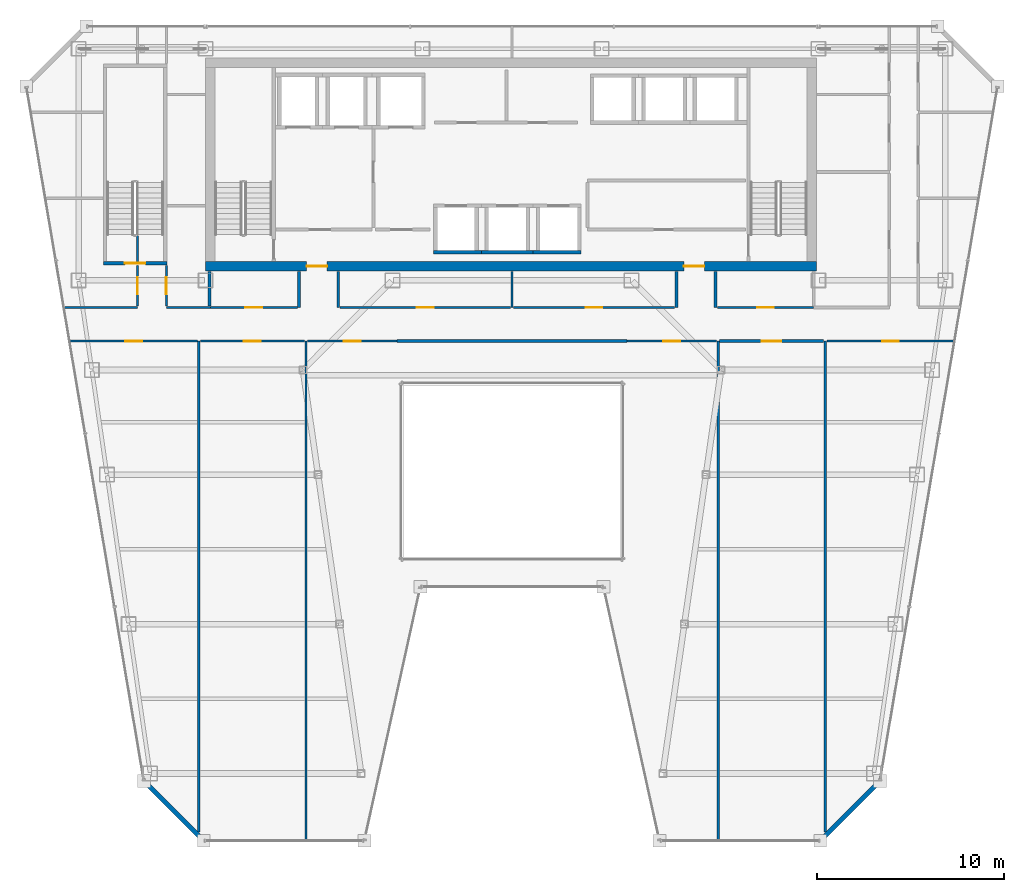
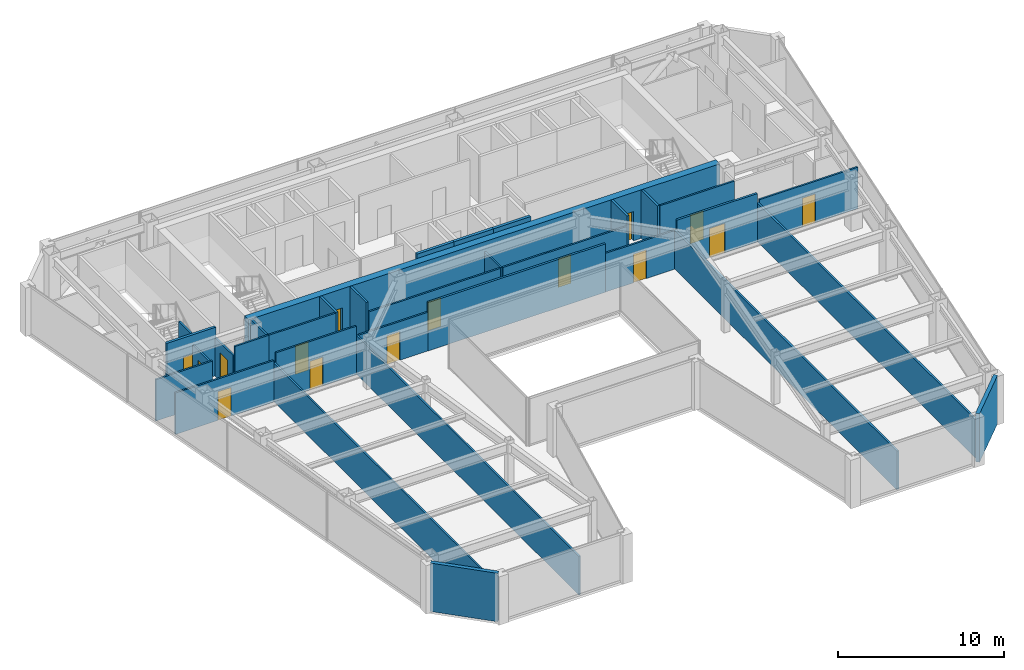
# One storey, part 30 of 36: 33 walls, 15 doors, 15 openings.
"""IFC4 building model written with IfcOpenShell, lengths in metres."""

from ifc_helpers import new_model, si_unit, direction, frame, frame_2d, origin, place, context, subcontext, project, spatial, rectangle, extrude, material, layer, layer_set, type_object, element, fill, save


model = new_model("IFC4")

# Units and contexts
model_context = context("Model", 3, precision=1e-05, world=origin(), true_north=direction((0.0, 1.0)))
body_context = subcontext(model_context, "Body", "Model", "MODEL_VIEW")
ifc_project = project(units=[si_unit("LENGTHUNIT", "METRE"), si_unit("AREAUNIT", "SQUARE_METRE"), si_unit("VOLUMEUNIT", "CUBIC_METRE"), si_unit("PLANEANGLEUNIT", "RADIAN"), si_unit("MASSUNIT", "GRAM", prefix="KILO")], contexts=[model_context])

# Site, building, storey
site_placement = place(None, origin())
site = spatial("IfcSite", under=ifc_project, at=site_placement, CompositionType="ELEMENT")
building_placement = place(site_placement, origin())
building = spatial("IfcBuilding", under=site, at=building_placement, Name="Saevonmaru Cultural Tower", CompositionType="ELEMENT")
storey_placement = place(building_placement, frame((0.0, 0.0, 182.800048828125)))
storey = spatial("IfcBuildingStorey", under=building, at=storey_placement, Name="L41", CompositionType="ELEMENT", Elevation=182.800048828125)

# Wall, openings, doors
ifc_material_1 = material(Name="Concrete C60/75", Category="concrete")
ifc_layer_1 = layer(ifc_material_1, 0.5, Name="Concrete C60/75")
ifc_layer_set_1 = layer_set([ifc_layer_1], Name="Concrete C60/75")
wall_type_1 = type_object("IfcWallType", Name="WL-CORE-500", PredefinedType="SHEAR", material=ifc_layer_set_1)
wall_1_placement = place(storey_placement, frame((13.60009765625, 43.14990234375, 0.0), z_axis=(0.0, 0.0, 1.0), x_axis=(1.0, 0.0, 0.0)))
wall_1 = element("IfcWall", 1, at=wall_1_placement, inside=storey, type_object=wall_type_1, Name="L41 Tower RC core shear wall S", PredefinedType="SHEAR", context=body_context, shape_type="SweptSolid", body=[
    extrude(rectangle(XDim=32.699951171875, YDim=0.5, at=frame_2d((16.35009765625, 0.0))), origin(), (0.0, 0.0, 1.0), 3.550048828125),
])
opening_1_placement = place(wall_1_placement, frame((5.39990234375, 0.0, 0.0)))
opening_1 = element("IfcOpeningElement", 2, at=opening_1_placement, cuts=wall_1, Name="Opening FD-2", PredefinedType="OPENING", context=body_context, shape_type="SweptSolid", body=[
    extrude(rectangle(XDim=1.10009765625, YDim=2.14990234375, at=frame_2d((0.550048828125, 1.074951171875))), frame((0.0, 0.260009765625, 0.0), z_axis=(0.0, -1.0, 0.0), x_axis=(1.0, 0.0, 0.0)), (0.0, 0.0, 1.0), 0.52001953125),
])
opening_2_placement = place(wall_1_placement, frame((25.60009765625, 0.0, 0.0)))
opening_2 = element("IfcOpeningElement", 3, at=opening_2_placement, cuts=wall_1, Name="Opening FD-2", PredefinedType="OPENING", context=body_context, shape_type="SweptSolid", body=[
    extrude(rectangle(XDim=1.10009765625, YDim=2.14990234375, at=frame_2d((0.550048828125, 1.074951171875))), frame((0.0, 0.260009765625, 0.0), z_axis=(0.0, -1.0, 0.0), x_axis=(1.0, 0.0, 0.0)), (0.0, 0.0, 1.0), 0.52001953125),
])
ifc_material_2 = material(Name="Satin Bronze Anodised Aluminium", Category="aluminium")
door_type_1 = type_object("IfcDoorType", Name="DR-FD60-1100", OperationType="SINGLE_SWING_LEFT", PredefinedType="DOOR", material=ifc_material_2)
door_1_placement = place(opening_1_placement, origin())
door_1 = element("IfcDoor", 4, at=door_1_placement, inside=storey, type_object=door_type_1, Name="L41 Core West Lobby Fire Door", OperationType="SINGLE_SWING_LEFT", OverallHeight=2.14990234375, OverallWidth=1.10009765625, PredefinedType="DOOR", context=body_context, shape_type="SweptSolid", body=[
    extrude(rectangle(XDim=1.10009765625, YDim=2.14990234375, at=frame_2d((0.550048828125, 1.074951171875))), frame((0.0, 0.02490234375, 0.0), z_axis=(0.0, -1.0, 0.0), x_axis=(1.0, 0.0, 0.0)), (0.0, 0.0, 1.0), 0.050048828125),
])
fill(opening_1, door_1)
door_2_placement = place(opening_2_placement, origin())
door_2 = element("IfcDoor", 5, at=door_2_placement, inside=storey, type_object=door_type_1, Name="L41 Core East Lobby Fire Door", OperationType="SINGLE_SWING_LEFT", OverallHeight=2.14990234375, OverallWidth=1.10009765625, PredefinedType="DOOR", context=body_context, shape_type="SweptSolid", body=[
    extrude(rectangle(XDim=1.10009765625, YDim=2.14990234375, at=frame_2d((0.550048828125, 1.074951171875))), frame((0.0, 0.02490234375, 0.0), z_axis=(0.0, -1.0, 0.0), x_axis=(1.0, 0.0, 0.0)), (0.0, 0.0, 1.0), 0.050048828125),
])
fill(opening_2, door_2)

# Walls
ifc_material_3 = material(Name="Granite-Clad Precast Concrete C40/50", Category="masonry")
ifc_layer_2 = layer(ifc_material_3, 0.260009765625, Name="Granite-Clad Precast Concrete C40/50")
ifc_layer_set_2 = layer_set([ifc_layer_2], Name="Granite-Clad Precast Concrete C40/50")
wall_type_2 = type_object("IfcWallType", Name="WL-EXT-SPANDREL-260", PredefinedType="STANDARD", material=ifc_layer_set_2)
for number, where, z_axis, x_axis, name in (
    (6, (10.410888671875, 15.48681640625, 0.0), (0.0, 0.0, 1.0), (0.707135806771, -0.70707775441, 0.0), "L41 Chamfer Corner Spandrel Wall E1"),
    (7, (46.615234375, 12.51318359375, 0.0), (0.0, 0.0, 1.0), (0.707135806771, 0.70707775441, 0.0), "L41 Chamfer Corner Spandrel Wall E7"),
):
    element("IfcWall", number, at=place(storey_placement, frame(where, z_axis=z_axis, x_axis=x_axis)), inside=storey, type_object=wall_type_2, Name=name, PredefinedType="STANDARD", context=body_context, shape_type="SweptSolid", body=[
        extrude(rectangle(XDim=4.20556640625, YDim=0.260009765625, at=frame_2d((2.102783203125, 0.0))), origin(), (0.0, 0.0, 1.0), 3.550048828125),
    ])
ifc_material_4 = material(Name="Gypsum Fireboard Partition", Category="gypsum")
ifc_layer_3 = layer(ifc_material_4, 0.14990234375, Name="Gypsum Fireboard Partition")
ifc_layer_set_3 = layer_set([ifc_layer_3], Name="Gypsum Fireboard Partition")
wall_type_3 = type_object("IfcWallType", Name="WL-PART-FIRE-150", PredefinedType="PARTITIONING", material=ifc_layer_set_3)
wall_2_placement = place(storey_placement, frame((13.800048828125, 41.030029296875, 0.0), z_axis=(0.0, 0.0, 1.0), x_axis=(0.0, 1.0, 0.0)))
element("IfcWall", 8, at=wall_2_placement, inside=storey, type_object=wall_type_3, Name="L41 Core Portal Side Wall W0", PredefinedType="PARTITIONING", context=body_context, shape_type="SweptSolid", body=[
    extrude(rectangle(XDim=1.849853515625, YDim=0.14990234375, at=frame_2d((0.9248046875, 0.0))), origin(), (0.0, 0.0, 1.0), 3.550048828125),
])
for number, where, z_axis, x_axis, name in (
    (9, (18.60009765625, 40.949951171875, 0.0), (0.0, 0.0, 1.0), (0.0, 1.0, 0.0), "L41 Core Portal Side Wall W1"),
    (10, (20.699951171875, 40.949951171875, 0.0), (0.0, 0.0, 1.0), (0.0, 1.0, 0.0), "L41 Core Portal Side Wall W2"),
    (11, (38.800048828125, 40.949951171875, 0.0), (0.0, 0.0, 1.0), (0.0, 1.0, 0.0), "L41 Core Portal Side Wall E1"),
    (12, (40.89990234375, 40.949951171875, 0.0), (0.0, 0.0, 1.0), (0.0, 1.0, 0.0), "L41 Core Portal Side Wall E2"),
):
    element("IfcWall", number, at=place(storey_placement, frame(where, z_axis=z_axis, x_axis=x_axis)), inside=storey, type_object=wall_type_3, Name=name, PredefinedType="PARTITIONING", context=body_context, shape_type="SweptSolid", body=[
        extrude(rectangle(XDim=1.929931640625, YDim=0.14990234375, at=frame_2d((0.96484375, 0.0))), origin(), (0.0, 0.0, 1.0), 3.550048828125),
    ])
wall_3_placement = place(storey_placement, frame((23.85009765625, 39.14990234375, 0.0), z_axis=(0.0, 0.0, 1.0), x_axis=(1.0, 0.0, 0.0)))
element("IfcWall", 13, at=wall_3_placement, inside=storey, type_object=wall_type_3, Name="L41 North Atrium Corridor Wall", PredefinedType="PARTITIONING", context=body_context, shape_type="SweptSolid", body=[
    extrude(rectangle(XDim=12.2998046875, YDim=0.14990234375, at=frame_2d((6.14990234375, 0.0))), origin(), (0.0, 0.0, 1.0), 3.550048828125),
])

# Wall, opening, door
wall_4_placement = place(storey_placement, frame((41.117431640625, 39.14990234375, 0.0), z_axis=(0.0, 0.0, 1.0), x_axis=(1.0, 0.0, 0.0)))
wall_4 = element("IfcWall", 14, at=wall_4_placement, inside=storey, type_object=wall_type_3, Name="L41 Permanent Exhibition Gallery Corridor Wall", PredefinedType="PARTITIONING", context=body_context, shape_type="SweptSolid", body=[
    extrude(rectangle(XDim=5.565185546875, YDim=0.14990234375, at=frame_2d((2.78271484375, 0.0))), origin(), (0.0, 0.0, 1.0), 3.550048828125),
])
opening_3_placement = place(wall_4_placement, frame((2.257080078125, 0.0, 0.0)))
opening_3 = element("IfcOpeningElement", 15, at=opening_3_placement, cuts=wall_4, Name="Opening ID-1", PredefinedType="OPENING", context=body_context, shape_type="SweptSolid", body=[
    extrude(rectangle(XDim=1.050048828125, YDim=2.14990234375, at=frame_2d((0.52490234375, 1.074951171875))), frame((0.0, 0.0849609375, 0.0), z_axis=(0.0, -1.0, 0.0), x_axis=(1.0, 0.0, 0.0)), (0.0, 0.0, 1.0), 0.169921875),
])
door_type_2 = type_object("IfcDoorType", Name="DR-INT-1050", OperationType="SINGLE_SWING_LEFT", PredefinedType="DOOR", material=ifc_material_2)
door_3_placement = place(opening_3_placement, origin())
door_3 = element("IfcDoor", 16, at=door_3_placement, inside=storey, type_object=door_type_2, Name="L41 Permanent Exhibition Gallery Door", OperationType="SINGLE_SWING_RIGHT", OverallHeight=2.14990234375, OverallWidth=1.050048828125, PredefinedType="DOOR", context=body_context, shape_type="SweptSolid", body=[
    extrude(rectangle(XDim=1.050048828125, YDim=2.14990234375, at=frame_2d((0.52490234375, 1.074951171875))), frame((0.0, 0.02490234375, 0.0), z_axis=(0.0, -1.0, 0.0), x_axis=(1.0, 0.0, 0.0)), (0.0, 0.0, 1.0), 0.050048828125),
])
fill(opening_3, door_3)

# Walls
ifc_layer_4 = layer(ifc_material_4, 0.1201171875, Name="Gypsum Fireboard Partition")
ifc_layer_set_4 = layer_set([ifc_layer_4], Name="Gypsum Fireboard Partition")
wall_type_4 = type_object("IfcWallType", Name="WL-PART-GYP-120", PredefinedType="PARTITIONING", material=ifc_layer_set_4)
wall_5_placement = place(storey_placement, frame((6.01123046875, 40.949951171875, 0.0), z_axis=(0.0, 0.0, 1.0), x_axis=(1.0, 0.0, 0.0)))
element("IfcWall", 17, at=wall_5_placement, inside=storey, type_object=wall_type_4, Name="L41 NW Wing South Wall", PredefinedType="PARTITIONING", context=body_context, shape_type="SweptSolid", body=[
    extrude(rectangle(XDim=3.938720703125, YDim=0.1201171875, at=frame_2d((1.96923828125, 0.0))), origin(), (0.0, 0.0, 1.0), 3.034912109375),
])
wall_6_placement = place(storey_placement, frame((11.5, 40.949951171875, 0.0), z_axis=(0.0, 0.0, 1.0), x_axis=(1.0, 0.0, 0.0)))
element("IfcWall", 18, at=wall_6_placement, inside=storey, type_object=wall_type_4, Name="L41 NW Inner South Wall", PredefinedType="PARTITIONING", context=body_context, shape_type="SweptSolid", body=[
    extrude(rectangle(XDim=2.35009765625, YDim=0.1201171875, at=frame_2d((1.175048828125, 0.0))), origin(), (0.0, 0.0, 1.0), 3.550048828125),
])

# Wall, opening, door
wall_7_placement = place(storey_placement, frame((9.949951171875, 41.030029296875, 0.0), z_axis=(0.0, 0.0, 1.0), x_axis=(0.0, 1.0, 0.0)))
wall_7 = element("IfcWall", 19, at=wall_7_placement, inside=storey, type_object=wall_type_4, Name="L41 Curatorial Research Office Corridor Wall", PredefinedType="PARTITIONING", context=body_context, shape_type="SweptSolid", body=[
    extrude(rectangle(XDim=2.169921875, YDim=0.1201171875, at=frame_2d((1.0849609375, 0.0))), origin(), (0.0, 0.0, 1.0), 2.8349609375),
])
opening_4_placement = place(wall_7_placement, frame((0.635009765625, 0.0, 0.0)))
opening_4 = element("IfcOpeningElement", 20, at=opening_4_placement, cuts=wall_7, Name="Opening ID-2", PredefinedType="OPENING", context=body_context, shape_type="SweptSolid", body=[
    extrude(rectangle(XDim=0.89990234375, YDim=2.10009765625, at=frame_2d((0.449951171875, 1.050048828125))), frame((0.0, 0.070068359375, 0.0), z_axis=(0.0, -1.0, 0.0), x_axis=(1.0, 0.0, 0.0)), (0.0, 0.0, 1.0), 0.14013671875),
])
ifc_material_5 = material(Name="Acoustic Stained Oak Timber", Category="wood")
door_type_3 = type_object("IfcDoorType", Name="DR-INT-900", OperationType="SINGLE_SWING_RIGHT", PredefinedType="DOOR", material=ifc_material_5)
door_4_placement = place(opening_4_placement, origin())
door_4 = element("IfcDoor", 21, at=door_4_placement, inside=storey, type_object=door_type_3, Name="L41 Curatorial Research Office Door", OperationType="SINGLE_SWING_LEFT", OverallHeight=2.10009765625, OverallWidth=0.89990234375, PredefinedType="DOOR", context=body_context, shape_type="SweptSolid", body=[
    extrude(rectangle(XDim=0.89990234375, YDim=2.10009765625, at=frame_2d((0.449951171875, 1.050048828125))), frame((0.0, 0.02490234375, 0.0), z_axis=(0.0, -1.0, 0.0), x_axis=(1.0, 0.0, 0.0)), (0.0, 0.0, 1.0), 0.050048828125),
])
fill(opening_4, door_4)

# Wall
wall_8_placement = place(storey_placement, frame((9.949951171875, 43.419921875, 0.0), z_axis=(0.0, 0.0, 1.0), x_axis=(0.0, 1.0, 0.0)))
element("IfcWall", 22, at=wall_8_placement, inside=storey, type_object=wall_type_4, Name="L41 Curatorial Research Office Corridor Wall (2)", PredefinedType="PARTITIONING", context=body_context, shape_type="SweptSolid", body=[
    extrude(rectangle(XDim=1.4501953125, YDim=0.1201171875, at=frame_2d((0.72509765625, 0.0))), origin(), (0.0, 0.0, 1.0), 3.550048828125),
])

# Wall, opening, door
wall_9_placement = place(storey_placement, frame((11.5, 41.030029296875, 0.0), z_axis=(0.0, 0.0, 1.0), x_axis=(0.0, 1.0, 0.0)))
wall_9 = element("IfcWall", 23, at=wall_9_placement, inside=storey, type_object=wall_type_4, Name="L41 Archival Conservation Office Corridor Wall", PredefinedType="PARTITIONING", context=body_context, shape_type="SweptSolid", body=[
    extrude(rectangle(XDim=2.169921875, YDim=0.1201171875, at=frame_2d((1.0849609375, 0.0))), origin(), (0.0, 0.0, 1.0), 2.8349609375),
])
opening_5_placement = place(wall_9_placement, frame((0.635009765625, 0.0, 0.0)))
opening_5 = element("IfcOpeningElement", 24, at=opening_5_placement, cuts=wall_9, Name="Opening ID-2", PredefinedType="OPENING", context=body_context, shape_type="SweptSolid", body=[
    extrude(rectangle(XDim=0.89990234375, YDim=2.10009765625, at=frame_2d((0.449951171875, 1.050048828125))), frame((0.0, 0.070068359375, 0.0), z_axis=(0.0, -1.0, 0.0), x_axis=(1.0, 0.0, 0.0)), (0.0, 0.0, 1.0), 0.14013671875),
])
door_5_placement = place(opening_5_placement, origin())
door_5 = element("IfcDoor", 25, at=door_5_placement, inside=storey, type_object=door_type_3, Name="L41 Archival Conservation Office Door", OperationType="SINGLE_SWING_RIGHT", OverallHeight=2.10009765625, OverallWidth=0.89990234375, PredefinedType="DOOR", context=body_context, shape_type="SweptSolid", body=[
    extrude(rectangle(XDim=0.89990234375, YDim=2.10009765625, at=frame_2d((0.449951171875, 1.050048828125))), frame((0.0, 0.02490234375, 0.0), z_axis=(0.0, -1.0, 0.0), x_axis=(1.0, 0.0, 0.0)), (0.0, 0.0, 1.0), 0.050048828125),
])
fill(opening_5, door_5)

wall_10_placement = place(storey_placement, frame((13.85009765625, 40.949951171875, 0.0), z_axis=(0.0, 0.0, 1.0), x_axis=(1.0, 0.0, 0.0)))
wall_10 = element("IfcWall", 26, at=wall_10_placement, inside=storey, type_object=wall_type_4, Name="L41 Curatorial Research Office Corridor Wall", PredefinedType="PARTITIONING", context=body_context, shape_type="SweptSolid", body=[
    extrude(rectangle(XDim=4.65478515625, YDim=0.1201171875, at=frame_2d((2.327392578125, 0.0))), origin(), (0.0, 0.0, 1.0), 3.550048828125),
])
opening_6_placement = place(wall_10_placement, frame((1.876953125, 0.0, 0.0)))
opening_6 = element("IfcOpeningElement", 27, at=opening_6_placement, cuts=wall_10, Name="Opening ID-2", PredefinedType="OPENING", context=body_context, shape_type="SweptSolid", body=[
    extrude(rectangle(XDim=0.89990234375, YDim=2.10009765625, at=frame_2d((0.449951171875, 1.050048828125))), frame((0.0, 0.070068359375, 0.0), z_axis=(0.0, -1.0, 0.0), x_axis=(1.0, 0.0, 0.0)), (0.0, 0.0, 1.0), 0.14013671875),
])
door_6_placement = place(opening_6_placement, origin())
door_6 = element("IfcDoor", 28, at=door_6_placement, inside=storey, type_object=door_type_3, Name="L41 Curatorial Research Office Door", OperationType="SINGLE_SWING_RIGHT", OverallHeight=2.10009765625, OverallWidth=0.89990234375, PredefinedType="DOOR", context=body_context, shape_type="SweptSolid", body=[
    extrude(rectangle(XDim=0.89990234375, YDim=2.10009765625, at=frame_2d((0.449951171875, 1.050048828125))), frame((0.0, 0.02490234375, 0.0), z_axis=(0.0, -1.0, 0.0), x_axis=(1.0, 0.0, 0.0)), (0.0, 0.0, 1.0), 0.050048828125),
])
fill(opening_6, door_6)

# Wall
wall_11_placement = place(storey_placement, frame((30.0, 40.949951171875, 0.0), z_axis=(0.0, 0.0, 1.0), x_axis=(0.0, 1.0, 0.0)))
element("IfcWall", 29, at=wall_11_placement, inside=storey, type_object=wall_type_4, Name="L41 Spine Alcove Split", PredefinedType="PARTITIONING", context=body_context, shape_type="SweptSolid", body=[
    extrude(rectangle(XDim=1.929931640625, YDim=0.1201171875, at=frame_2d((0.96484375, 0.0))), origin(), (0.0, 0.0, 1.0), 2.8349609375),
])

# Wall, opening, door
wall_12_placement = place(storey_placement, frame((20.794921875, 40.949951171875, 0.0), z_axis=(0.0, 0.0, 1.0), x_axis=(1.0, 0.0, 0.0)))
wall_12 = element("IfcWall", 30, at=wall_12_placement, inside=storey, type_object=wall_type_4, Name="L41 Curatorial Research Office Corridor Wall", PredefinedType="PARTITIONING", context=body_context, shape_type="SweptSolid", body=[
    extrude(rectangle(XDim=9.125, YDim=0.1201171875, at=frame_2d((4.5625, 0.0))), origin(), (0.0, 0.0, 1.0), 2.8349609375),
])
opening_7_placement = place(wall_12_placement, frame((4.112060546875, 0.0, 0.0)))
opening_7 = element("IfcOpeningElement", 31, at=opening_7_placement, cuts=wall_12, Name="Opening ID-2", PredefinedType="OPENING", context=body_context, shape_type="SweptSolid", body=[
    extrude(rectangle(XDim=0.89990234375, YDim=2.10009765625, at=frame_2d((0.449951171875, 1.050048828125))), frame((0.0, 0.070068359375, 0.0), z_axis=(0.0, -1.0, 0.0), x_axis=(1.0, 0.0, 0.0)), (0.0, 0.0, 1.0), 0.14013671875),
])
door_7_placement = place(opening_7_placement, origin())
door_7 = element("IfcDoor", 32, at=door_7_placement, inside=storey, type_object=door_type_3, Name="L41 Curatorial Research Office Door", OperationType="SINGLE_SWING_LEFT", OverallHeight=2.10009765625, OverallWidth=0.89990234375, PredefinedType="DOOR", context=body_context, shape_type="SweptSolid", body=[
    extrude(rectangle(XDim=0.89990234375, YDim=2.10009765625, at=frame_2d((0.449951171875, 1.050048828125))), frame((0.0, 0.02490234375, 0.0), z_axis=(0.0, -1.0, 0.0), x_axis=(1.0, 0.0, 0.0)), (0.0, 0.0, 1.0), 0.050048828125),
])
fill(opening_7, door_7)

wall_13_placement = place(storey_placement, frame((30.080078125, 40.949951171875, 0.0), z_axis=(0.0, 0.0, 1.0), x_axis=(1.0, 0.0, 0.0)))
wall_13 = element("IfcWall", 33, at=wall_13_placement, inside=storey, type_object=wall_type_4, Name="L41 Design Seminar Classroom Corridor Wall", PredefinedType="PARTITIONING", context=body_context, shape_type="SweptSolid", body=[
    extrude(rectangle(XDim=8.625, YDim=0.1201171875, at=frame_2d((4.3125, 0.0))), origin(), (0.0, 0.0, 1.0), 2.8349609375),
])
opening_8_placement = place(wall_13_placement, frame((3.862060546875, 0.0, 0.0)))
opening_8 = element("IfcOpeningElement", 34, at=opening_8_placement, cuts=wall_13, Name="Opening ID-2", PredefinedType="OPENING", context=body_context, shape_type="SweptSolid", body=[
    extrude(rectangle(XDim=0.89990234375, YDim=2.10009765625, at=frame_2d((0.449951171875, 1.050048828125))), frame((0.0, 0.070068359375, 0.0), z_axis=(0.0, -1.0, 0.0), x_axis=(1.0, 0.0, 0.0)), (0.0, 0.0, 1.0), 0.14013671875),
])
door_8_placement = place(opening_8_placement, origin())
door_8 = element("IfcDoor", 35, at=door_8_placement, inside=storey, type_object=door_type_3, Name="L41 Design Seminar Classroom Door", OperationType="SINGLE_SWING_RIGHT", OverallHeight=2.10009765625, OverallWidth=0.89990234375, PredefinedType="DOOR", context=body_context, shape_type="SweptSolid", body=[
    extrude(rectangle(XDim=0.89990234375, YDim=2.10009765625, at=frame_2d((0.449951171875, 1.050048828125))), frame((0.0, 0.02490234375, 0.0), z_axis=(0.0, -1.0, 0.0), x_axis=(1.0, 0.0, 0.0)), (0.0, 0.0, 1.0), 0.050048828125),
])
fill(opening_8, door_8)

wall_14_placement = place(storey_placement, frame((40.9951171875, 40.949951171875, 0.0), z_axis=(0.0, 0.0, 1.0), x_axis=(1.0, 0.0, 0.0)))
wall_14 = element("IfcWall", 36, at=wall_14_placement, inside=storey, type_object=wall_type_4, Name="L41 Editorial Fellows Office Corridor Wall", PredefinedType="PARTITIONING", context=body_context, shape_type="SweptSolid", body=[
    extrude(rectangle(XDim=5.15478515625, YDim=0.1201171875, at=frame_2d((2.577392578125, 0.0))), origin(), (0.0, 0.0, 1.0), 3.550048828125),
])
opening_9_placement = place(wall_14_placement, frame((2.1279296875, 0.0, 0.0)))
opening_9 = element("IfcOpeningElement", 37, at=opening_9_placement, cuts=wall_14, Name="Opening ID-2", PredefinedType="OPENING", context=body_context, shape_type="SweptSolid", body=[
    extrude(rectangle(XDim=0.89990234375, YDim=2.10009765625, at=frame_2d((0.449951171875, 1.050048828125))), frame((0.0, 0.070068359375, 0.0), z_axis=(0.0, -1.0, 0.0), x_axis=(1.0, 0.0, 0.0)), (0.0, 0.0, 1.0), 0.14013671875),
])
door_9_placement = place(opening_9_placement, origin())
door_9 = element("IfcDoor", 38, at=door_9_placement, inside=storey, type_object=door_type_3, Name="L41 Editorial Fellows Office Door", OperationType="SINGLE_SWING_LEFT", OverallHeight=2.10009765625, OverallWidth=0.89990234375, PredefinedType="DOOR", context=body_context, shape_type="SweptSolid", body=[
    extrude(rectangle(XDim=0.89990234375, YDim=2.10009765625, at=frame_2d((0.449951171875, 1.050048828125))), frame((0.0, 0.02490234375, 0.0), z_axis=(0.0, -1.0, 0.0), x_axis=(1.0, 0.0, 0.0)), (0.0, 0.0, 1.0), 0.050048828125),
])
fill(opening_9, door_9)

# Walls
wall_15_placement = place(storey_placement, frame((13.22998046875, 12.8798828125, 0.0), z_axis=(0.0, 0.0, 1.0), x_axis=(0.0, 1.0, 0.0)))
element("IfcWall", 39, at=wall_15_placement, inside=storey, type_object=wall_type_4, Name="L41 West Bay Divider 1", PredefinedType="PARTITIONING", context=body_context, shape_type="SweptSolid", body=[
    extrude(rectangle(XDim=26.27001953125, YDim=0.1201171875, at=frame_2d((13.135009765625, 0.0))), origin(), (0.0, 0.0, 1.0), 2.8349609375),
])
wall_16_placement = place(storey_placement, frame((18.969970703125, 12.405029296875, 0.0), z_axis=(0.0, 0.0, 1.0), x_axis=(0.0, 1.0, 0.0)))
element("IfcWall", 40, at=wall_16_placement, inside=storey, type_object=wall_type_4, Name="L41 West Bay Divider 2", PredefinedType="PARTITIONING", context=body_context, shape_type="SweptSolid", body=[
    extrude(rectangle(XDim=26.744873046875, YDim=0.1201171875, at=frame_2d((13.37255859375, 0.0))), origin(), (0.0, 0.0, 1.0), 2.8349609375),
])

# Wall, opening, door
wall_17_placement = place(storey_placement, frame((6.333984375, 39.14990234375, 0.0), z_axis=(0.0, 0.0, 1.0), x_axis=(1.0, 0.0, 0.0)))
wall_17 = element("IfcWall", 41, at=wall_17_placement, inside=storey, type_object=wall_type_4, Name="L41 Curatorial Research Office Corridor Wall", PredefinedType="PARTITIONING", context=body_context, shape_type="SweptSolid", body=[
    extrude(rectangle(XDim=6.81591796875, YDim=0.1201171875, at=frame_2d((3.407958984375, 0.0))), origin(), (0.0, 0.0, 1.0), 3.034912109375),
])
opening_10_placement = place(wall_17_placement, frame((2.9580078125, 0.0, 0.0)))
opening_10 = element("IfcOpeningElement", 42, at=opening_10_placement, cuts=wall_17, Name="Opening ID-2", PredefinedType="OPENING", context=body_context, shape_type="SweptSolid", body=[
    extrude(rectangle(XDim=0.89990234375, YDim=2.10009765625, at=frame_2d((0.449951171875, 1.050048828125))), frame((0.0, 0.070068359375, 0.0), z_axis=(0.0, -1.0, 0.0), x_axis=(1.0, 0.0, 0.0)), (0.0, 0.0, 1.0), 0.14013671875),
])
door_10_placement = place(opening_10_placement, origin())
door_10 = element("IfcDoor", 43, at=door_10_placement, inside=storey, type_object=door_type_3, Name="L41 Curatorial Research Office Door", OperationType="SINGLE_SWING_RIGHT", OverallHeight=2.10009765625, OverallWidth=0.89990234375, PredefinedType="DOOR", context=body_context, shape_type="SweptSolid", body=[
    extrude(rectangle(XDim=0.89990234375, YDim=2.10009765625, at=frame_2d((0.449951171875, 1.050048828125))), frame((0.0, 0.02490234375, 0.0), z_axis=(0.0, -1.0, 0.0), x_axis=(1.0, 0.0, 0.0)), (0.0, 0.0, 1.0), 0.050048828125),
])
fill(opening_10, door_10)

wall_18_placement = place(storey_placement, frame((13.31005859375, 39.14990234375, 0.0), z_axis=(0.0, 0.0, 1.0), x_axis=(1.0, 0.0, 0.0)))
wall_18 = element("IfcWall", 44, at=wall_18_placement, inside=storey, type_object=wall_type_4, Name="L41 Archival Conservation Office Corridor Wall", PredefinedType="PARTITIONING", context=body_context, shape_type="SweptSolid", body=[
    extrude(rectangle(XDim=5.579833984375, YDim=0.1201171875, at=frame_2d((2.7900390625, 0.0))), origin(), (0.0, 0.0, 1.0), 3.550048828125),
])
opening_11_placement = place(wall_18_placement, frame((2.340087890625, 0.0, 0.0)))
opening_11 = element("IfcOpeningElement", 45, at=opening_11_placement, cuts=wall_18, Name="Opening ID-2", PredefinedType="OPENING", context=body_context, shape_type="SweptSolid", body=[
    extrude(rectangle(XDim=0.89990234375, YDim=2.10009765625, at=frame_2d((0.449951171875, 1.050048828125))), frame((0.0, 0.070068359375, 0.0), z_axis=(0.0, -1.0, 0.0), x_axis=(1.0, 0.0, 0.0)), (0.0, 0.0, 1.0), 0.14013671875),
])
door_11_placement = place(opening_11_placement, origin())
door_11 = element("IfcDoor", 46, at=door_11_placement, inside=storey, type_object=door_type_3, Name="L41 Archival Conservation Office Door", OperationType="SINGLE_SWING_LEFT", OverallHeight=2.10009765625, OverallWidth=0.89990234375, PredefinedType="DOOR", context=body_context, shape_type="SweptSolid", body=[
    extrude(rectangle(XDim=0.89990234375, YDim=2.10009765625, at=frame_2d((0.449951171875, 1.050048828125))), frame((0.0, 0.02490234375, 0.0), z_axis=(0.0, -1.0, 0.0), x_axis=(1.0, 0.0, 0.0)), (0.0, 0.0, 1.0), 0.050048828125),
])
fill(opening_11, door_11)

wall_19_placement = place(storey_placement, frame((19.050048828125, 39.14990234375, 0.0), z_axis=(0.0, 0.0, 1.0), x_axis=(1.0, 0.0, 0.0)))
wall_19 = element("IfcWall", 47, at=wall_19_placement, inside=storey, type_object=wall_type_4, Name="L41 Editorial Fellows Office Corridor Wall", PredefinedType="PARTITIONING", context=body_context, shape_type="SweptSolid", body=[
    extrude(rectangle(XDim=4.800048828125, YDim=0.1201171875, at=frame_2d((2.39990234375, 0.0))), origin(), (0.0, 0.0, 1.0), 2.8349609375),
])
opening_12_placement = place(wall_19_placement, frame((1.949951171875, 0.0, 0.0)))
opening_12 = element("IfcOpeningElement", 48, at=opening_12_placement, cuts=wall_19, Name="Opening ID-2", PredefinedType="OPENING", context=body_context, shape_type="SweptSolid", body=[
    extrude(rectangle(XDim=0.89990234375, YDim=2.10009765625, at=frame_2d((0.449951171875, 1.050048828125))), frame((0.0, 0.070068359375, 0.0), z_axis=(0.0, -1.0, 0.0), x_axis=(1.0, 0.0, 0.0)), (0.0, 0.0, 1.0), 0.14013671875),
])
door_12_placement = place(opening_12_placement, origin())
door_12 = element("IfcDoor", 49, at=door_12_placement, inside=storey, type_object=door_type_3, Name="L41 Editorial Fellows Office Door", OperationType="SINGLE_SWING_RIGHT", OverallHeight=2.10009765625, OverallWidth=0.89990234375, PredefinedType="DOOR", context=body_context, shape_type="SweptSolid", body=[
    extrude(rectangle(XDim=0.89990234375, YDim=2.10009765625, at=frame_2d((0.449951171875, 1.050048828125))), frame((0.0, 0.02490234375, 0.0), z_axis=(0.0, -1.0, 0.0), x_axis=(1.0, 0.0, 0.0)), (0.0, 0.0, 1.0), 0.050048828125),
])
fill(opening_12, door_12)

wall_20_placement = place(storey_placement, frame((36.14990234375, 39.14990234375, 0.0), z_axis=(0.0, 0.0, 1.0), x_axis=(1.0, 0.0, 0.0)))
wall_20 = element("IfcWall", 50, at=wall_20_placement, inside=storey, type_object=wall_type_4, Name="L41 Editorial Fellows Office Corridor Wall", PredefinedType="PARTITIONING", context=body_context, shape_type="SweptSolid", body=[
    extrude(rectangle(XDim=4.79248046875, YDim=0.1201171875, at=frame_2d((2.396240234375, 0.0))), origin(), (0.0, 0.0, 1.0), 2.8349609375),
])
opening_13_placement = place(wall_20_placement, frame((1.946044921875, 0.0, 0.0)))
opening_13 = element("IfcOpeningElement", 51, at=opening_13_placement, cuts=wall_20, Name="Opening ID-2", PredefinedType="OPENING", context=body_context, shape_type="SweptSolid", body=[
    extrude(rectangle(XDim=0.89990234375, YDim=2.10009765625, at=frame_2d((0.449951171875, 1.050048828125))), frame((0.0, 0.070068359375, 0.0), z_axis=(0.0, -1.0, 0.0), x_axis=(1.0, 0.0, 0.0)), (0.0, 0.0, 1.0), 0.14013671875),
])
door_13_placement = place(opening_13_placement, origin())
door_13 = element("IfcDoor", 52, at=door_13_placement, inside=storey, type_object=door_type_3, Name="L41 Editorial Fellows Office Door", OperationType="SINGLE_SWING_LEFT", OverallHeight=2.10009765625, OverallWidth=0.89990234375, PredefinedType="DOOR", context=body_context, shape_type="SweptSolid", body=[
    extrude(rectangle(XDim=0.89990234375, YDim=2.10009765625, at=frame_2d((0.449951171875, 1.050048828125))), frame((0.0, 0.02490234375, 0.0), z_axis=(0.0, -1.0, 0.0), x_axis=(1.0, 0.0, 0.0)), (0.0, 0.0, 1.0), 0.050048828125),
])
fill(opening_13, door_13)

wall_21_placement = place(storey_placement, frame((46.857421875, 39.14990234375, 0.0), z_axis=(0.0, 0.0, 1.0), x_axis=(1.0, 0.0, 0.0)))
wall_21 = element("IfcWall", 53, at=wall_21_placement, inside=storey, type_object=wall_type_4, Name="L41 Design Seminar Classroom Corridor Wall", PredefinedType="PARTITIONING", context=body_context, shape_type="SweptSolid", body=[
    extrude(rectangle(XDim=6.80859375, YDim=0.1201171875, at=frame_2d((3.404296875, 0.0))), origin(), (0.0, 0.0, 1.0), 3.034912109375),
])
opening_14_placement = place(wall_21_placement, frame((2.9541015625, 0.0, 0.0)))
opening_14 = element("IfcOpeningElement", 54, at=opening_14_placement, cuts=wall_21, Name="Opening ID-2", PredefinedType="OPENING", context=body_context, shape_type="SweptSolid", body=[
    extrude(rectangle(XDim=0.89990234375, YDim=2.10009765625, at=frame_2d((0.449951171875, 1.050048828125))), frame((0.0, 0.070068359375, 0.0), z_axis=(0.0, -1.0, 0.0), x_axis=(1.0, 0.0, 0.0)), (0.0, 0.0, 1.0), 0.14013671875),
])
door_14_placement = place(opening_14_placement, origin())
door_14 = element("IfcDoor", 55, at=door_14_placement, inside=storey, type_object=door_type_3, Name="L41 Design Seminar Classroom Door", OperationType="SINGLE_SWING_LEFT", OverallHeight=2.10009765625, OverallWidth=0.89990234375, PredefinedType="DOOR", context=body_context, shape_type="SweptSolid", body=[
    extrude(rectangle(XDim=0.89990234375, YDim=2.10009765625, at=frame_2d((0.449951171875, 1.050048828125))), frame((0.0, 0.02490234375, 0.0), z_axis=(0.0, -1.0, 0.0), x_axis=(1.0, 0.0, 0.0)), (0.0, 0.0, 1.0), 0.050048828125),
])
fill(opening_14, door_14)

# Walls
ifc_layer_5 = layer(ifc_material_4, 0.135009765625, Name="Gypsum Fireboard Partition")
ifc_layer_set_5 = layer_set([ifc_layer_5], Name="Gypsum Fireboard Partition")
wall_type_5 = type_object("IfcWallType", Name="WL-PART-GYP-135", PredefinedType="PARTITIONING", material=ifc_layer_set_5)
wall_22_placement = place(storey_placement, frame((41.030029296875, 12.405029296875, 0.0), z_axis=(0.0, 0.0, 1.0), x_axis=(0.0, 1.0, 0.0)))
element("IfcWall", 56, at=wall_22_placement, inside=storey, type_object=wall_type_5, Name="L41 East Bay Divider 1", PredefinedType="PARTITIONING", context=body_context, shape_type="SweptSolid", body=[
    extrude(rectangle(XDim=26.744873046875, YDim=0.135009765625, at=frame_2d((13.37255859375, 0.0))), origin(), (0.0, 0.0, 1.0), 2.8349609375),
])
wall_23_placement = place(storey_placement, frame((46.77001953125, 12.8798828125, 0.0), z_axis=(0.0, 0.0, 1.0), x_axis=(0.0, 1.0, 0.0)))
element("IfcWall", 57, at=wall_23_placement, inside=storey, type_object=wall_type_5, Name="L41 East Bay Divider 2", PredefinedType="PARTITIONING", context=body_context, shape_type="SweptSolid", body=[
    extrude(rectangle(XDim=26.27001953125, YDim=0.135009765625, at=frame_2d((13.135009765625, 0.0))), origin(), (0.0, 0.0, 1.0), 2.8349609375),
])
ifc_material_6 = material(Name="Concrete C40/50", Category="concrete")
ifc_layer_6 = layer(ifc_material_6, 0.199951171875, Name="Concrete C40/50")
ifc_layer_set_6 = layer_set([ifc_layer_6], Name="Concrete C40/50")
wall_type_6 = type_object("IfcWallType", Name="WL-SHAFT-200", PredefinedType="SHEAR", material=ifc_layer_set_6)
wall_24_placement = place(storey_placement, frame((25.800048828125, 43.89990234375, 0.0), z_axis=(0.0, 0.0, 1.0), x_axis=(1.0, 0.0, 0.0)))
element("IfcWall", 58, at=wall_24_placement, inside=storey, type_object=wall_type_6, Name="L41 Lift PL-M1 Hoistway Wall S", PredefinedType="SHEAR", context=body_context, shape_type="SweptSolid", body=[
    extrude(rectangle(XDim=2.574951171875, YDim=0.199951171875, at=frame_2d((1.28759765625, 0.0))), origin(), (0.0, 0.0, 1.0), 3.550048828125),
])
wall_25_placement = place(storey_placement, frame((28.375, 43.89990234375, 0.0), z_axis=(0.0, 0.0, 1.0), x_axis=(1.0, 0.0, 0.0)))
element("IfcWall", 59, at=wall_25_placement, inside=storey, type_object=wall_type_6, Name="L41 Lift PL-M2 Hoistway Wall S", PredefinedType="SHEAR", context=body_context, shape_type="SweptSolid", body=[
    extrude(rectangle(XDim=2.75, YDim=0.199951171875, at=frame_2d((1.375, 0.0))), origin(), (0.0, 0.0, 1.0), 3.550048828125),
])
wall_26_placement = place(storey_placement, frame((31.125, 43.89990234375, 0.0), z_axis=(0.0, 0.0, 1.0), x_axis=(1.0, 0.0, 0.0)))
element("IfcWall", 60, at=wall_26_placement, inside=storey, type_object=wall_type_6, Name="L41 Lift PL-M3 Hoistway Wall S", PredefinedType="SHEAR", context=body_context, shape_type="SweptSolid", body=[
    extrude(rectangle(XDim=2.574951171875, YDim=0.199951171875, at=frame_2d((1.28759765625, 0.0))), origin(), (0.0, 0.0, 1.0), 3.550048828125),
])

# Wall, opening, door
ifc_layer_7 = layer(ifc_material_6, 0.179931640625, Name="Concrete C40/50")
ifc_layer_set_7 = layer_set([ifc_layer_7], Name="Concrete C40/50")
wall_type_7 = type_object("IfcWallType", Name="WL-STSHAFT-180", PredefinedType="SHEAR", material=ifc_layer_set_7)
wall_27_placement = place(storey_placement, frame((8.1201171875, 43.31005859375, 0.0), z_axis=(0.0, 0.0, 1.0), x_axis=(1.0, 0.0, 0.0)))
wall_27 = element("IfcWall", 61, at=wall_27_placement, inside=storey, type_object=wall_type_7, Name="L41 Stair ST-3 Structural Shaft Wall 1", PredefinedType="SHEAR", context=body_context, shape_type="SweptSolid", body=[
    extrude(rectangle(XDim=3.409912109375, YDim=0.179931640625, at=frame_2d((1.705078125, 0.0))), origin(), (0.0, 0.0, 1.0), 3.550048828125),
])
opening_15_placement = place(wall_27_placement, frame((1.14990234375, 0.0, 0.0)))
opening_15 = element("IfcOpeningElement", 62, at=opening_15_placement, cuts=wall_27, Name="Opening FD-2", PredefinedType="OPENING", context=body_context, shape_type="SweptSolid", body=[
    extrude(rectangle(XDim=1.10009765625, YDim=2.14990234375, at=frame_2d((0.550048828125, 1.074951171875))), frame((0.0, 0.10009765625, 0.0), z_axis=(0.0, -1.0, 0.0), x_axis=(1.0, 0.0, 0.0)), (0.0, 0.0, 1.0), 0.199951171875),
])
door_15_placement = place(opening_15_placement, origin())
door_15 = element("IfcDoor", 63, at=door_15_placement, inside=storey, type_object=door_type_1, Name="L41 Protected Stair ST-3 Fire Door", OperationType="SINGLE_SWING_LEFT", OverallHeight=2.14990234375, OverallWidth=1.10009765625, PredefinedType="DOOR", context=body_context, shape_type="SweptSolid", body=[
    extrude(rectangle(XDim=1.10009765625, YDim=2.14990234375, at=frame_2d((0.550048828125, 1.074951171875))), frame((0.0, 0.02490234375, 0.0), z_axis=(0.0, -1.0, 0.0), x_axis=(1.0, 0.0, 0.0)), (0.0, 0.0, 1.0), 0.050048828125),
])
fill(opening_15, door_15)

save(model, "model.ifc")
